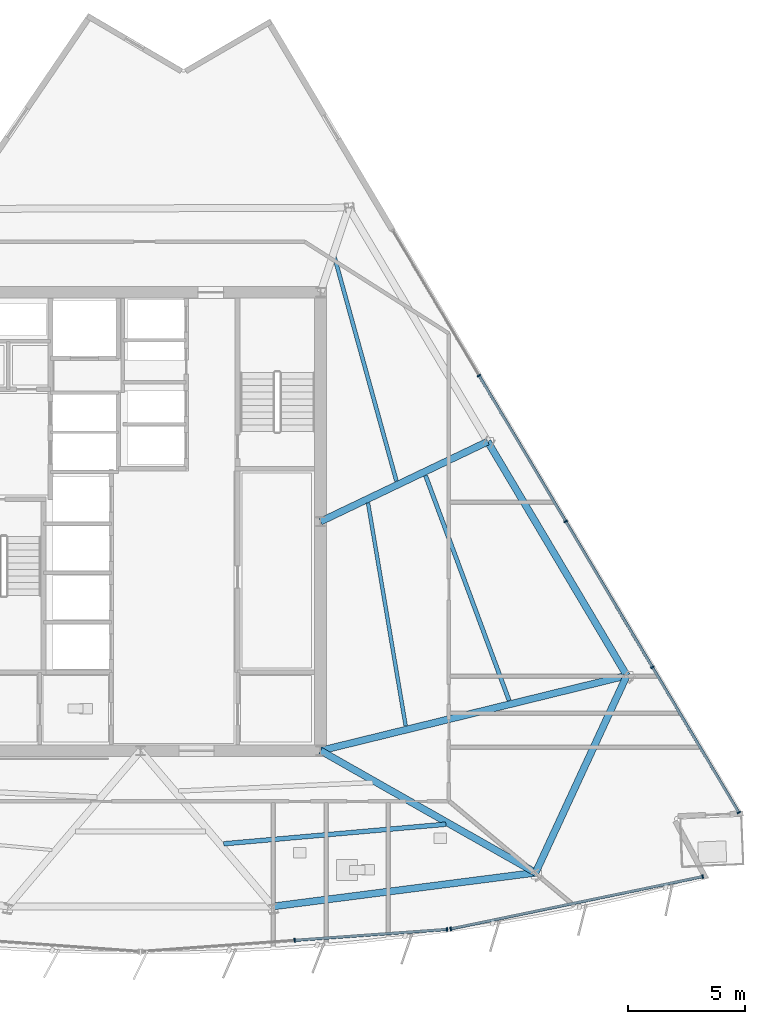
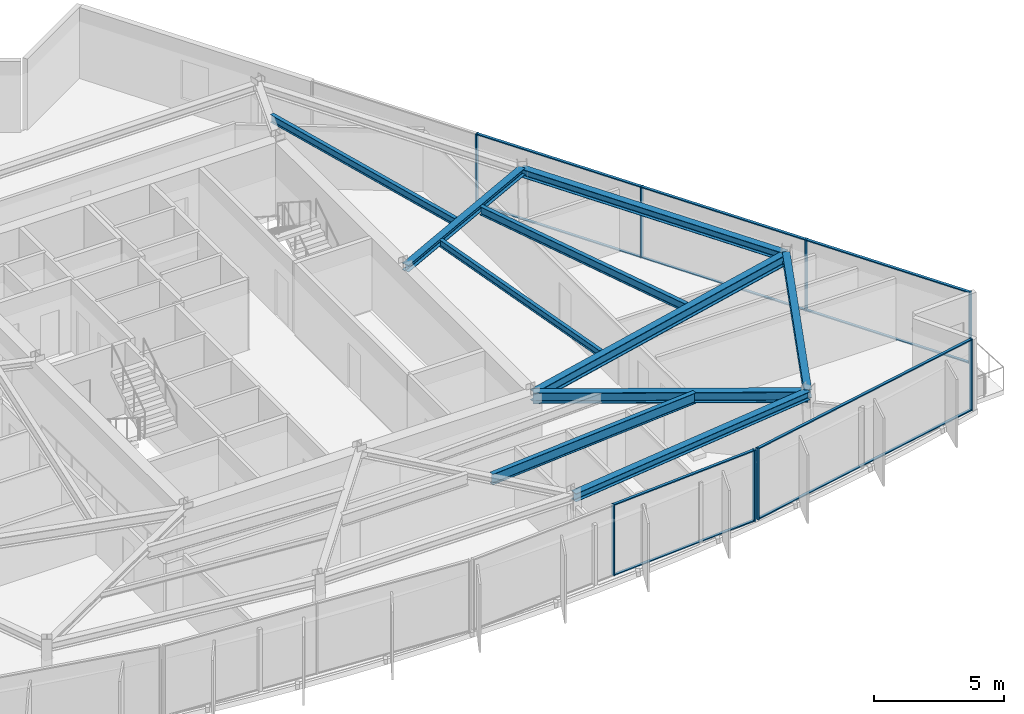
# One storey, part 5 of 15: 18 members, 10 beams, 3 elements without a shape of their own.
"""IFC4 building model written with IfcOpenShell, lengths in metres."""

from ifc_helpers import new_model, si_unit, direction, frame, origin, origin_2d, place, context, subcontext, project, spatial, rectangle, i_section, extrude, material, material_profile, profile_set, type_object, element, aggregate, save


model = new_model("IFC4")

# Units and contexts
model_context = context("Model", 3, precision=1e-05, world=origin(), true_north=direction((0.0, 1.0)))
body_context = subcontext(model_context, "Body", "Model", "MODEL_VIEW")
ifc_project = project(units=[si_unit("LENGTHUNIT", "METRE"), si_unit("AREAUNIT", "SQUARE_METRE"), si_unit("VOLUMEUNIT", "CUBIC_METRE"), si_unit("PLANEANGLEUNIT", "RADIAN"), si_unit("MASSUNIT", "GRAM", prefix="KILO")], contexts=[model_context])

# Site, building, storey
site_placement = place(None, origin())
site = spatial("IfcSite", under=ifc_project, at=site_placement, CompositionType="ELEMENT")
building_placement = place(site_placement, origin())
building = spatial("IfcBuilding", under=site, at=building_placement, Name="Savorim Split Tower", CompositionType="ELEMENT")
storey_placement = place(building_placement, frame((0.0, 0.0, 198.300048828125)))
storey = spatial("IfcBuildingStorey", under=building, at=storey_placement, Name="L52", CompositionType="ELEMENT", Elevation=198.300048828125)

# Beams
ifc_material_1 = material(Name="Steel S355", Category="steel")
ifc_material_profile_1 = material_profile(ifc_material_1, i_section(OverallWidth=0.159912109375, OverallDepth=0.330078125, WebThickness=0.007568359375, FlangeThickness=0.011474609375, FilletRadius=0.01806640625, at=origin_2d()), Name="IPE 330")
ifc_profile_set_1 = profile_set([ifc_material_profile_1], Name="Steel S355")
beam_type_1 = type_object("IfcBeamType", Name="BM-JST-IPE330", PredefinedType="JOIST", material=ifc_profile_set_1)
beam_1_placement = place(storey_placement, frame((11.340087890625, -8.342529296875, 3.18505859375), z_axis=(-0.166595661164, 0.986025296674, 0.0), x_axis=(-0.986025296674, -0.166595661164, 0.0)))
element("IfcBeam", 1, at=beam_1_placement, inside=storey, type_object=beam_type_1, Name="L52 Secondary Floor Joist JS-08", PredefinedType="JOIST", context=body_context, shape_type="SweptSolid", body=[
    extrude(i_section(OverallWidth=0.159912109375, OverallDepth=0.330078125, WebThickness=0.007568359375, FlangeThickness=0.011474609375, FilletRadius=0.01806640625, at=origin_2d()), origin(), (0.0, 0.0, 1.0), 9.676513671875),
])
ifc_material_profile_2 = material_profile(ifc_material_1, i_section(OverallWidth=0.169921875, OverallDepth=0.360107421875, WebThickness=0.008056640625, FlangeThickness=0.0126953125, FilletRadius=0.01806640625, at=origin_2d()), Name="IPE 360")
ifc_profile_set_2 = profile_set([ifc_material_profile_2], Name="Steel S355")
beam_type_2 = type_object("IfcBeamType", Name="BM-JST-IPE360", PredefinedType="JOIST", material=ifc_profile_set_2)
beam_2_placement = place(storey_placement, frame((10.9453125, 2.125732421875, 3.169921875), z_axis=(-0.266553545999, 0.963820111388, 0.0), x_axis=(-0.963820111388, -0.266553545999, 0.0)))
element("IfcBeam", 2, at=beam_2_placement, inside=storey, type_object=beam_type_2, Name="L52 Secondary Floor Joist JS-07", PredefinedType="JOIST", context=body_context, shape_type="SweptSolid", body=[
    extrude(i_section(OverallWidth=0.169921875, OverallDepth=0.360107421875, WebThickness=0.008056640625, FlangeThickness=0.0126953125, FilletRadius=0.01806640625, at=origin_2d()), origin(), (0.0, 0.0, 1.0), 9.945068359375),
])
ifc_material_profile_3 = material_profile(ifc_material_1, i_section(OverallWidth=0.179931640625, OverallDepth=0.39990234375, WebThickness=0.008544921875, FlangeThickness=0.013427734375, FilletRadius=0.02099609375, at=origin_2d()), Name="IPE 400")
ifc_profile_set_3 = profile_set([ifc_material_profile_3], Name="Steel S355")
beam_type_3 = type_object("IfcBeamType", Name="BM-JST-IPE400", PredefinedType="JOIST", material=ifc_profile_set_3)
beam_3_placement = place(storey_placement, frame((15.763916015625, -7.2578125, 3.14990234375), z_axis=(-0.348268902434, 0.937394672269, 0.0), x_axis=(-0.937394672269, -0.348268902434, 0.0)))
element("IfcBeam", 3, at=beam_3_placement, inside=storey, type_object=beam_type_3, Name="L52 Secondary Floor Joist JS-06", PredefinedType="JOIST", context=body_context, shape_type="SweptSolid", body=[
    extrude(i_section(OverallWidth=0.179931640625, OverallDepth=0.39990234375, WebThickness=0.008544921875, FlangeThickness=0.013427734375, FilletRadius=0.02099609375, at=origin_2d()), origin(), (0.0, 0.0, 1.0), 10.26904296875),
])
ifc_material_profile_4 = material_profile(ifc_material_1, i_section(OverallWidth=0.199951171875, OverallDepth=0.5, WebThickness=0.01025390625, FlangeThickness=0.01611328125, FilletRadius=0.02099609375, at=origin_2d()), Name="IPE 500")
ifc_profile_set_4 = profile_set([ifc_material_profile_4], Name="Steel S355")
beam_type_4 = type_object("IfcBeamType", Name="BM-JST-IPE500", PredefinedType="JOIST", material=ifc_profile_set_4)
beam_4_placement = place(storey_placement, frame((3.556640625, -13.383056640625, 3.099853515625), z_axis=(0.996140126555, 0.087777265096, 0.0), x_axis=(-0.087777265096, 0.996140126555, 0.0)))
element("IfcBeam", 4, at=beam_4_placement, inside=storey, type_object=beam_type_4, Name="L52 Secondary Floor Joist JS-04", PredefinedType="JOIST", context=body_context, shape_type="SweptSolid", body=[
    extrude(i_section(OverallWidth=0.199951171875, OverallDepth=0.5, WebThickness=0.01025390625, FlangeThickness=0.01611328125, FilletRadius=0.02099609375, at=origin_2d()), origin(), (0.0, 0.0, 1.0), 9.537353515625),
])
ifc_material_profile_5 = material_profile(ifc_material_1, i_section(OverallWidth=0.300048828125, OverallDepth=0.320068359375, WebThickness=0.011474609375, FlangeThickness=0.0205078125, FilletRadius=0.027099609375, at=origin_2d()), Name="HEB 320")
ifc_profile_set_5 = profile_set([ifc_material_profile_5], Name="Steel S355")
beam_type_5 = type_object("IfcBeamType", Name="BM-PRI-HEB320", PredefinedType="BEAM", material=ifc_profile_set_5)
beam_5_placement = place(storey_placement, frame((14.847900390625, 3.816650390625, 3.18994140625), z_axis=(-0.902224421036, -0.431266847886, 0.0), x_axis=(0.431266847886, -0.902224421036, 0.0)))
element("IfcBeam", 5, at=beam_5_placement, inside=storey, type_object=beam_type_5, Name="L52 Primary Floor Girder RG-06", PredefinedType="BEAM", context=body_context, shape_type="SweptSolid", body=[
    extrude(i_section(OverallWidth=0.300048828125, OverallDepth=0.320068359375, WebThickness=0.011474609375, FlangeThickness=0.0205078125, FilletRadius=0.027099609375, at=origin_2d()), origin(), (0.0, 0.0, 1.0), 7.922607421875),
])
ifc_material_profile_6 = material_profile(ifc_material_1, i_section(OverallWidth=0.300048828125, OverallDepth=0.5, WebThickness=0.014404296875, FlangeThickness=0.028076171875, FilletRadius=0.027099609375, at=origin_2d()), Name="HEB 500")
ifc_profile_set_6 = profile_set([ifc_material_profile_6], Name="Steel S355")
beam_type_6 = type_object("IfcBeamType", Name="BM-PRI-HEB500", PredefinedType="BEAM", material=ifc_profile_set_6)
beam_6_placement = place(storey_placement, frame((16.894287109375, -14.61962890625, 3.099853515625), z_axis=(-0.869632327229, 0.493699924486, 0.0), x_axis=(-0.493699924486, -0.869632327229, 0.0)))
element("IfcBeam", 6, at=beam_6_placement, inside=storey, type_object=beam_type_6, Name="L52 Primary Floor Girder RG-04", PredefinedType="BEAM", context=body_context, shape_type="SweptSolid", body=[
    extrude(i_section(OverallWidth=0.300048828125, OverallDepth=0.5, WebThickness=0.014404296875, FlangeThickness=0.028076171875, FilletRadius=0.027099609375, at=origin_2d()), origin(), (0.0, 0.0, 1.0), 10.57275390625),
])
beam_7_placement = place(storey_placement, frame((20.796142578125, -6.186767578125, 3.099853515625), z_axis=(-0.971196062645, -0.238281782567, 0.0), x_axis=(0.238281782567, -0.971196062645, 0.0)))
element("IfcBeam", 7, at=beam_7_placement, inside=storey, type_object=beam_type_6, Name="L52 Primary Floor Girder RG-05", PredefinedType="BEAM", context=body_context, shape_type="SweptSolid", body=[
    extrude(i_section(OverallWidth=0.300048828125, OverallDepth=0.5, WebThickness=0.014404296875, FlangeThickness=0.028076171875, FilletRadius=0.027099609375, at=origin_2d()), origin(), (0.0, 0.0, 1.0), 13.484619140625),
])
ifc_material_profile_7 = material_profile(ifc_material_1, i_section(OverallWidth=0.300048828125, OverallDepth=0.389892578125, WebThickness=0.010986328125, FlangeThickness=0.01904296875, FilletRadius=0.027099609375, at=origin_2d()), Name="HEA 400")
ifc_profile_set_7 = profile_set([ifc_material_profile_7], Name="Steel S355")
beam_type_7 = type_object("IfcBeamType", Name="BM-SPN-HEA400", PredefinedType="SPANDREL", material=ifc_profile_set_7)
beam_8_placement = place(storey_placement, frame((5.662109375, -16.061767578125, 3.155029296875), z_axis=(0.991858080732, 0.127348135781, 0.0), x_axis=(-0.127348135781, 0.991858080732, 0.0)))
element("IfcBeam", 8, at=beam_8_placement, inside=storey, type_object=beam_type_7, Name="L52 Perimeter Spandrel Beam 3", PredefinedType="SPANDREL", context=body_context, shape_type="SweptSolid", body=[
    extrude(i_section(OverallWidth=0.300048828125, OverallDepth=0.389892578125, WebThickness=0.010986328125, FlangeThickness=0.01904296875, FilletRadius=0.027099609375, at=origin_2d()), origin(), (0.0, 0.0, 1.0), 11.324462890625),
])
beam_9_placement = place(storey_placement, frame((16.894287109375, -14.61962890625, 3.155029296875), z_axis=(0.419924415373, 0.907559080928, 0.0), x_axis=(-0.907559080928, 0.419924415373, 0.0)))
element("IfcBeam", 9, at=beam_9_placement, inside=storey, type_object=beam_type_7, Name="L52 Perimeter Spandrel Beam 4", PredefinedType="SPANDREL", context=body_context, shape_type="SweptSolid", body=[
    extrude(i_section(OverallWidth=0.300048828125, OverallDepth=0.389892578125, WebThickness=0.010986328125, FlangeThickness=0.01904296875, FilletRadius=0.027099609375, at=origin_2d()), origin(), (0.0, 0.0, 1.0), 9.291748046875),
])
beam_10_placement = place(storey_placement, frame((20.796142578125, -6.186767578125, 3.155029296875), z_axis=(-0.51109214749, 0.859525925597, 0.0), x_axis=(-0.859525925597, -0.51109214749, 0.0)))
element("IfcBeam", 10, at=beam_10_placement, inside=storey, type_object=beam_type_7, Name="L52 Perimeter Spandrel Beam 5", PredefinedType="SPANDREL", context=body_context, shape_type="SweptSolid", body=[
    extrude(i_section(OverallWidth=0.300048828125, OverallDepth=0.389892578125, WebThickness=0.010986328125, FlangeThickness=0.01904296875, FilletRadius=0.027099609375, at=origin_2d()), origin(), (0.0, 0.0, 1.0), 11.63818359375),
])

# Curtain wall, members
ifc_material_2 = material(Name="Dark Ceramic-Fritted Insulated Glass", Category="glass")
curtain_wall_type = type_object("IfcCurtainWallType", Name="CW-TWR-FRIT-B", PredefinedType="NOTDEFINED", material=ifc_material_2)
curtain_wall_1_placement = place(storey_placement, origin())
curtain_wall_1 = element("IfcCurtainWall", 11, at=curtain_wall_1_placement, inside=storey, type_object=curtain_wall_type, Name="L52 Curtain Wall CW-L52-SF3", PredefinedType="NOTDEFINED")
ifc_material_3 = material(Name="Charcoal Anodised Aluminium", Category="aluminium")
ifc_material_profile_8 = material_profile(ifc_material_3, rectangle(XDim=0.159912109375, YDim=0.06005859375, at=origin_2d()), Name="ALU-M 160x60")
ifc_profile_set_8 = profile_set([ifc_material_profile_8], Name="Charcoal Anodised Aluminium")
member_type_1 = type_object("IfcMemberType", Name="CWM-160x60", PredefinedType="MULLION", material=ifc_profile_set_8)
member_1_placement = place(storey_placement, frame((6.591796875, -17.509033203125, 0.0), z_axis=(0.0, 0.0, 1.0), x_axis=(-0.071561883187, 0.997436161804, 0.0)))
member_1 = element("IfcMember", 12, at=member_1_placement, type_object=member_type_1, Name="CW-03 mullion 2", PredefinedType="MULLION", context=body_context, shape_type="SweptSolid", body=[
    extrude(rectangle(XDim=0.159912109375, YDim=0.06005859375, at=origin_2d()), origin(), (0.0, 0.0, 1.0), 3.349853515625),
])
member_2_placement = place(storey_placement, frame((13.102294921875, -17.0419921875, 0.0), z_axis=(0.0, 0.0, 1.0), x_axis=(-0.071561883187, 0.997436161804, 0.0)))
member_2 = element("IfcMember", 13, at=member_2_placement, type_object=member_type_1, Name="CW-03 mullion 3", PredefinedType="MULLION", context=body_context, shape_type="SweptSolid", body=[
    extrude(rectangle(XDim=0.159912109375, YDim=0.06005859375, at=origin_2d()), origin(), (0.0, 0.0, 1.0), 3.349853515625),
])

curtain_wall_2_placement = place(storey_placement, origin())
curtain_wall_2 = element("IfcCurtainWall", 14, at=curtain_wall_2_placement, inside=storey, type_object=curtain_wall_type, Name="L52 Curtain Wall CW-L52-SF4", PredefinedType="NOTDEFINED")
member_3_placement = place(storey_placement, frame((13.264404296875, -17.01953125, 0.0), z_axis=(0.0, 0.0, 1.0), x_axis=(-0.203207957161, 0.979135601511, 0.0)))
member_3 = element("IfcMember", 15, at=member_3_placement, type_object=member_type_1, Name="CW-03 mullion 1", PredefinedType="MULLION", context=body_context, shape_type="SweptSolid", body=[
    extrude(rectangle(XDim=0.159912109375, YDim=0.06005859375, at=origin_2d()), origin(), (0.0, 0.0, 1.0), 3.349853515625),
])
member_4_placement = place(storey_placement, frame((24.041259765625, -14.782958984375, 0.0), z_axis=(0.0, 0.0, 1.0), x_axis=(-0.203207957161, 0.979135601511, 0.0)))
member_4 = element("IfcMember", 16, at=member_4_placement, type_object=member_type_1, Name="CW-03 mullion 2", PredefinedType="MULLION", context=body_context, shape_type="SweptSolid", body=[
    extrude(rectangle(XDim=0.159912109375, YDim=0.06005859375, at=origin_2d()), origin(), (0.0, 0.0, 1.0), 3.349853515625),
])

curtain_wall_3_placement = place(storey_placement, origin())
curtain_wall_3 = element("IfcCurtainWall", 17, at=curtain_wall_3_placement, inside=storey, type_object=curtain_wall_type, Name="L52 Curtain Wall CW-L52-EAST", PredefinedType="NOTDEFINED")
member_5_placement = place(storey_placement, frame((25.586181640625, -12.04736328125, 0.0), z_axis=(0.0, 0.0, 1.0), x_axis=(-0.859525909056, -0.511092175308, 0.0)))
member_5 = element("IfcMember", 18, at=member_5_placement, type_object=member_type_1, Name="CW-03 mullion 1", PredefinedType="MULLION", context=body_context, shape_type="SweptSolid", body=[
    extrude(rectangle(XDim=0.159912109375, YDim=0.06005859375, at=origin_2d()), origin(), (0.0, 0.0, 1.0), 3.349853515625),
])
member_6_placement = place(storey_placement, frame((21.89208984375, -5.8349609375, 0.0), z_axis=(0.0, 0.0, 1.0), x_axis=(-0.859525909056, -0.511092175308, 0.0)))
member_6 = element("IfcMember", 19, at=member_6_placement, type_object=member_type_1, Name="CW-03 mullion 2", PredefinedType="MULLION", context=body_context, shape_type="SweptSolid", body=[
    extrude(rectangle(XDim=0.159912109375, YDim=0.06005859375, at=origin_2d()), origin(), (0.0, 0.0, 1.0), 3.349853515625),
])
member_7_placement = place(storey_placement, frame((18.1826171875, 0.4033203125, 0.0), z_axis=(0.0, 0.0, 1.0), x_axis=(-0.859525909056, -0.511092175308, 0.0)))
member_7 = element("IfcMember", 20, at=member_7_placement, type_object=member_type_1, Name="CW-03 mullion 3", PredefinedType="MULLION", context=body_context, shape_type="SweptSolid", body=[
    extrude(rectangle(XDim=0.159912109375, YDim=0.06005859375, at=origin_2d()), origin(), (0.0, 0.0, 1.0), 3.349853515625),
])
member_8_placement = place(storey_placement, frame((14.473388671875, 6.641357421875, 0.0), z_axis=(0.0, 0.0, 1.0), x_axis=(-0.859525909056, -0.511092175308, 0.0)))
member_8 = element("IfcMember", 21, at=member_8_placement, type_object=member_type_1, Name="CW-03 mullion 4", PredefinedType="MULLION", context=body_context, shape_type="SweptSolid", body=[
    extrude(rectangle(XDim=0.159912109375, YDim=0.06005859375, at=origin_2d()), origin(), (0.0, 0.0, 1.0), 3.349853515625),
])

# Member
ifc_material_profile_9 = material_profile(ifc_material_3, rectangle(XDim=0.1201171875, YDim=0.050048828125, at=origin_2d()), Name="ALU-T 120x50")
ifc_profile_set_9 = profile_set([ifc_material_profile_9], Name="Charcoal Anodised Aluminium")
member_type_2 = type_object("IfcMemberType", Name="CWT-120x50", PredefinedType="USERDEFINED", material=ifc_profile_set_9)
member_9_placement = place(storey_placement, frame((6.62158203125, -17.507080078125, 0.02490234375), z_axis=(0.997435267849, 0.071574342133, 0.0), x_axis=(-0.071574342133, 0.997435267849, 0.0)))
member_9 = element("IfcMember", 22, at=member_9_placement, type_object=member_type_2, Name="CW-03 transom 2.1", ObjectType="TRANSOM", PredefinedType="USERDEFINED", context=body_context, shape_type="SweptSolid", body=[
    extrude(rectangle(XDim=0.1201171875, YDim=0.050048828125, at=origin_2d()), origin(), (0.0, 0.0, 1.0), 6.46728515625),
])

member_10_placement = place(storey_placement, frame((6.62158203125, -17.507080078125, 3.324951171875), z_axis=(0.997435267849, 0.071574342133, 0.0), x_axis=(-0.071574342133, 0.997435267849, 0.0)))
member_10 = element("IfcMember", 23, at=member_10_placement, type_object=member_type_2, Name="CW-03 transom 2.2", ObjectType="TRANSOM", PredefinedType="USERDEFINED", context=body_context, shape_type="SweptSolid", body=[
    extrude(rectangle(XDim=0.1201171875, YDim=0.050048828125, at=origin_2d()), origin(), (0.0, 0.0, 1.0), 6.46728515625),
])

aggregate(curtain_wall_1, [member_1, member_2, member_9, member_10])

member_11_placement = place(storey_placement, frame((13.293701171875, -17.013427734375, 0.02490234375), z_axis=(0.979137102834, 0.203200723063, 0.0), x_axis=(-0.203200723063, 0.979137102834, 0.0)))
member_11 = element("IfcMember", 24, at=member_11_placement, type_object=member_type_2, Name="CW-03 transom 1.1", ObjectType="TRANSOM", PredefinedType="USERDEFINED", context=body_context, shape_type="SweptSolid", body=[
    extrude(rectangle(XDim=0.1201171875, YDim=0.050048828125, at=origin_2d()), origin(), (0.0, 0.0, 1.0), 10.946533203125),
])

member_12_placement = place(storey_placement, frame((13.293701171875, -17.013427734375, 3.324951171875), z_axis=(0.979137102834, 0.203200723063, 0.0), x_axis=(-0.203200723063, 0.979137102834, 0.0)))
member_12 = element("IfcMember", 25, at=member_12_placement, type_object=member_type_2, Name="CW-03 transom 1.2", ObjectType="TRANSOM", PredefinedType="USERDEFINED", context=body_context, shape_type="SweptSolid", body=[
    extrude(rectangle(XDim=0.1201171875, YDim=0.050048828125, at=origin_2d()), origin(), (0.0, 0.0, 1.0), 10.946533203125),
])

aggregate(curtain_wall_2, [member_3, member_4, member_11, member_12])

member_13_placement = place(storey_placement, frame((25.57080078125, -12.021484375, 0.02490234375), z_axis=(-0.511085594604, 0.859529822047, 0.0), x_axis=(-0.859529822047, -0.511085594604, 0.0)))
member_13 = element("IfcMember", 26, at=member_13_placement, type_object=member_type_2, Name="CW-03 transom 1.1", ObjectType="TRANSOM", PredefinedType="USERDEFINED", context=body_context, shape_type="SweptSolid", body=[
    extrude(rectangle(XDim=0.1201171875, YDim=0.050048828125, at=origin_2d()), origin(), (0.0, 0.0, 1.0), 7.167724609375),
])

member_14_placement = place(storey_placement, frame((25.57080078125, -12.021484375, 3.324951171875), z_axis=(-0.511085594604, 0.859529822047, 0.0), x_axis=(-0.859529822047, -0.511085594604, 0.0)))
member_14 = element("IfcMember", 27, at=member_14_placement, type_object=member_type_2, Name="CW-03 transom 1.2", ObjectType="TRANSOM", PredefinedType="USERDEFINED", context=body_context, shape_type="SweptSolid", body=[
    extrude(rectangle(XDim=0.1201171875, YDim=0.050048828125, at=origin_2d()), origin(), (0.0, 0.0, 1.0), 7.167724609375),
])

member_15_placement = place(storey_placement, frame((21.876708984375, -5.80908203125, 0.02490234375), z_axis=(-0.511099775208, 0.85952138995, 0.0), x_axis=(-0.85952138995, -0.511099775208, 0.0)))
member_15 = element("IfcMember", 28, at=member_15_placement, type_object=member_type_2, Name="CW-03 transom 2.1", ObjectType="TRANSOM", PredefinedType="USERDEFINED", context=body_context, shape_type="SweptSolid", body=[
    extrude(rectangle(XDim=0.1201171875, YDim=0.050048828125, at=origin_2d()), origin(), (0.0, 0.0, 1.0), 7.19775390625),
])

member_16_placement = place(storey_placement, frame((21.876708984375, -5.80908203125, 3.324951171875), z_axis=(-0.511099775208, 0.85952138995, 0.0), x_axis=(-0.85952138995, -0.511099775208, 0.0)))
member_16 = element("IfcMember", 29, at=member_16_placement, type_object=member_type_2, Name="CW-03 transom 2.2", ObjectType="TRANSOM", PredefinedType="USERDEFINED", context=body_context, shape_type="SweptSolid", body=[
    extrude(rectangle(XDim=0.1201171875, YDim=0.050048828125, at=origin_2d()), origin(), (0.0, 0.0, 1.0), 7.19775390625),
])

member_17_placement = place(storey_placement, frame((18.16748046875, 0.428955078125, 0.02490234375), z_axis=(-0.511084874667, 0.859530250129, 0.0), x_axis=(-0.859530250129, -0.511084874667, 0.0)))
member_17 = element("IfcMember", 30, at=member_17_placement, type_object=member_type_2, Name="CW-03 transom 3.1", ObjectType="TRANSOM", PredefinedType="USERDEFINED", context=body_context, shape_type="SweptSolid", body=[
    extrude(rectangle(XDim=0.1201171875, YDim=0.050048828125, at=origin_2d()), origin(), (0.0, 0.0, 1.0), 7.19775390625),
])

member_18_placement = place(storey_placement, frame((18.16748046875, 0.428955078125, 3.324951171875), z_axis=(-0.511084874667, 0.859530250129, 0.0), x_axis=(-0.859530250129, -0.511084874667, 0.0)))
member_18 = element("IfcMember", 31, at=member_18_placement, type_object=member_type_2, Name="CW-03 transom 3.2", ObjectType="TRANSOM", PredefinedType="USERDEFINED", context=body_context, shape_type="SweptSolid", body=[
    extrude(rectangle(XDim=0.1201171875, YDim=0.050048828125, at=origin_2d()), origin(), (0.0, 0.0, 1.0), 7.19775390625),
])

aggregate(curtain_wall_3, [member_5, member_6, member_7, member_8, member_13, member_14, member_15, member_16, member_17, member_18])

save(model, "model.ifc")
